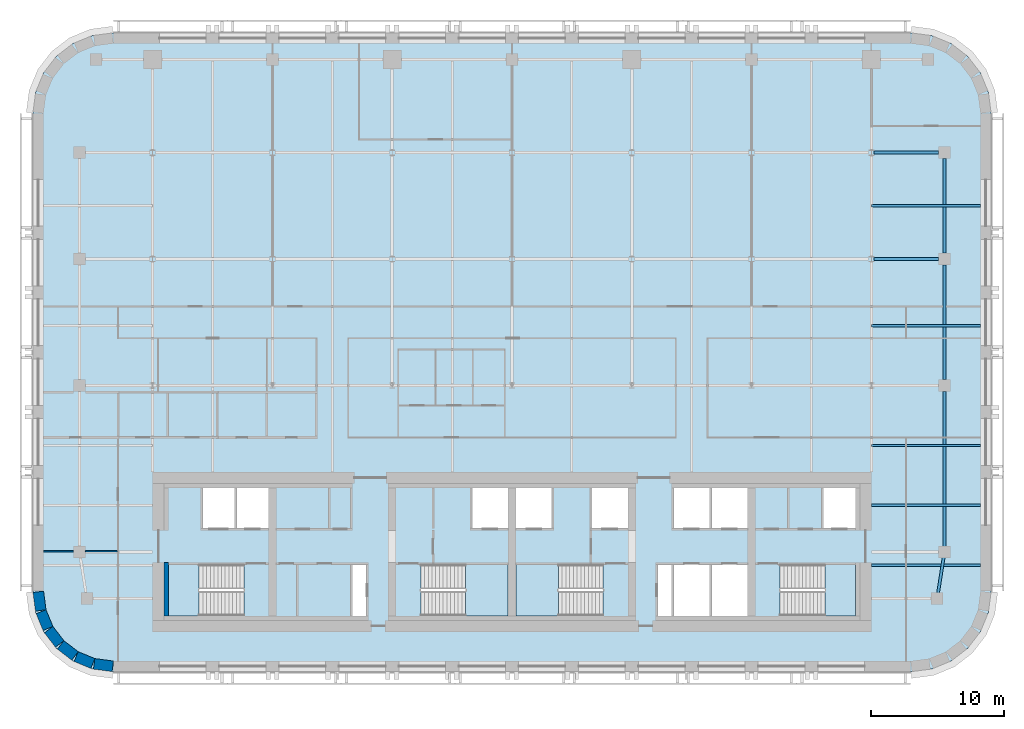
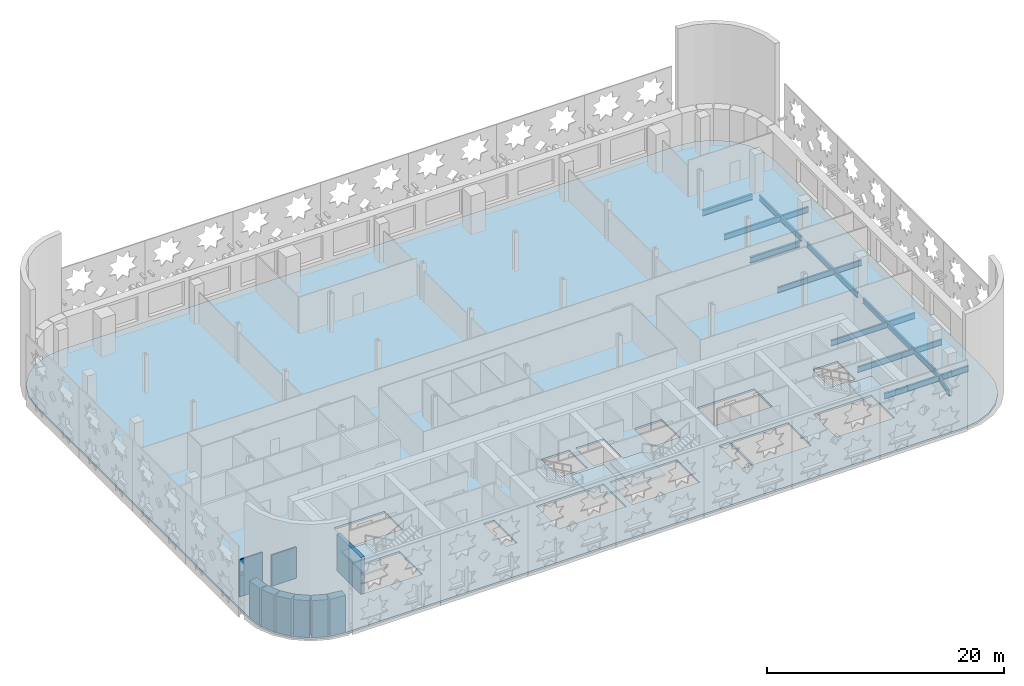
# One storey, part 2 of 14: 11 beams, 9 walls, 5 slabs, 4 elements without a shape of their own.
"""IFC4 building model written with IfcOpenShell, lengths in metres."""

from ifc_helpers import new_model, si_unit, direction, frame, frame_2d, origin, origin_2d, place, context, subcontext, project, spatial, polyline, rectangle, i_section, outline, extrude, material, layer, layer_set, material_profile, profile_set, type_object, element, aggregate, save


model = new_model("IFC4")

# Units and contexts
model_context = context("Model", 3, precision=1e-05, world=origin(), true_north=direction((0.0, 1.0)))
body_context = subcontext(model_context, "Body", "Model", "MODEL_VIEW")
ifc_project = project(units=[si_unit("LENGTHUNIT", "METRE"), si_unit("AREAUNIT", "SQUARE_METRE"), si_unit("VOLUMEUNIT", "CUBIC_METRE"), si_unit("PLANEANGLEUNIT", "RADIAN"), si_unit("MASSUNIT", "GRAM", prefix="KILO")], contexts=[model_context])

# Site, building, storey
site_placement = place(None, origin())
site = spatial("IfcSite", under=ifc_project, at=site_placement, CompositionType="ELEMENT")
building_placement = place(site_placement, origin())
building = spatial("IfcBuilding", under=site, at=building_placement, Name="Zellij Exchange Tower", CompositionType="ELEMENT")
storey_placement = place(building_placement, frame((0.0, 0.0, 188.5)))
storey = spatial("IfcBuildingStorey", under=building, at=storey_placement, Name="L43", CompositionType="ELEMENT", Elevation=188.5)

# Beams
ifc_material_1 = material(Name="Structural steel ASTM A992 Gr 50", Category="steel")
ifc_material_profile_1 = material_profile(ifc_material_1, i_section(OverallWidth=0.177978515625, OverallDepth=0.599365234375, WebThickness=0.010009765625, FlangeThickness=0.012939453125, at=origin_2d()), Name="W24x55")
ifc_profile_set_1 = profile_set([ifc_material_profile_1], Name="Structural steel ASTM A992 Gr 50")
beam_type_1 = type_object("IfcBeamType", Name="STR-BEAM W24x55", PredefinedType="BEAM", material=ifc_profile_set_1)
for number, where, z_axis, x_axis, name in (
    (1, (27.0, -9.0, -0.499755859375), (1.0, 0.0, 0.0), (0.0, 1.0, 0.0), "B4"),
    (2, (27.0, -4.5, -0.499755859375), (1.0, 0.0, 0.0), (0.0, 1.0, 0.0), "B4"),
    (3, (27.0, 0.0, -0.499755859375), (1.0, 0.0, 0.0), (0.0, 1.0, 0.0), "B4"),
    (4, (27.0, 9.0, -0.499755859375), (1.0, 0.0, 0.0), (0.0, 1.0, 0.0), "B4"),
    (5, (27.0, 18.0, -0.499755859375), (1.0, 0.0, 0.0), (0.0, 1.0, 0.0), "B4"),
):
    element("IfcBeam", number, at=place(storey_placement, frame(where, z_axis=z_axis, x_axis=x_axis)), inside=storey, type_object=beam_type_1, Name=name, PredefinedType="BEAM", context=body_context, shape_type="SweptSolid", body=[
        extrude(i_section(OverallWidth=0.177978515625, OverallDepth=0.599365234375, WebThickness=0.010009765625, FlangeThickness=0.012939453125, at=origin_2d()), origin(), (0.0, 0.0, 1.0), 8.199951171875),
    ])
ifc_material_profile_2 = material_profile(ifc_material_1, i_section(OverallWidth=0.209228515625, OverallDepth=0.533447265625, WebThickness=0.01025390625, FlangeThickness=0.015625, at=origin_2d()), Name="W21x62")
ifc_profile_set_2 = profile_set([ifc_material_profile_2], Name="Structural steel ASTM A992 Gr 50")
beam_type_2 = type_object("IfcBeamType", Name="STR-EDGE GIRDER W21x62", PredefinedType="BEAM", material=ifc_profile_set_2)
beam_1_placement = place(storey_placement, frame((31.949951171875, -11.5, -0.466796875), z_axis=(0.155251283593, 0.987875011802, 0.0), x_axis=(-0.987875011802, 0.155251283593, 0.0)))
element("IfcBeam", 6, at=beam_1_placement, inside=storey, type_object=beam_type_2, Name="EB3", PredefinedType="BEAM", context=body_context, shape_type="SweptSolid", body=[
    extrude(i_section(OverallWidth=0.209228515625, OverallDepth=0.533447265625, WebThickness=0.01025390625, FlangeThickness=0.015625, at=origin_2d()), origin(), (0.0, 0.0, 1.0), 3.54296875),
])
beam_2_placement = place(storey_placement, frame((32.5, -8.0, -0.466796875), z_axis=(0.0, 1.0, 0.0), x_axis=(-1.0, 0.0, 0.0)))
element("IfcBeam", 7, at=beam_2_placement, inside=storey, type_object=beam_type_2, Name="EB3", PredefinedType="BEAM", context=body_context, shape_type="SweptSolid", body=[
    extrude(i_section(OverallWidth=0.209228515625, OverallDepth=0.533447265625, WebThickness=0.01025390625, FlangeThickness=0.015625, at=origin_2d()), origin(), (0.0, 0.0, 1.0), 12.050048828125),
])
beam_3_placement = place(storey_placement, frame((32.5, 4.949951171875, -0.466796875), z_axis=(0.0, 1.0, 0.0), x_axis=(-1.0, 0.0, 0.0)))
element("IfcBeam", 8, at=beam_3_placement, inside=storey, type_object=beam_type_2, Name="EB3", PredefinedType="BEAM", context=body_context, shape_type="SweptSolid", body=[
    extrude(i_section(OverallWidth=0.209228515625, OverallDepth=0.533447265625, WebThickness=0.01025390625, FlangeThickness=0.015625, at=origin_2d()), origin(), (0.0, 0.0, 1.0), 8.60009765625),
])
beam_4_placement = place(storey_placement, frame((32.5, 14.449951171875, -0.466796875), z_axis=(0.0, 1.0, 0.0), x_axis=(-1.0, 0.0, 0.0)))
element("IfcBeam", 9, at=beam_4_placement, inside=storey, type_object=beam_type_2, Name="EB3", PredefinedType="BEAM", context=body_context, shape_type="SweptSolid", body=[
    extrude(i_section(OverallWidth=0.209228515625, OverallDepth=0.533447265625, WebThickness=0.01025390625, FlangeThickness=0.015625, at=origin_2d()), origin(), (0.0, 0.0, 1.0), 7.10009765625),
])
ifc_material_profile_3 = material_profile(ifc_material_1, i_section(OverallWidth=0.228271484375, OverallDepth=0.607177734375, WebThickness=0.01123046875, FlangeThickness=0.017333984375, at=origin_2d()), Name="W24x76")
ifc_profile_set_3 = profile_set([ifc_material_profile_3], Name="Structural steel ASTM A992 Gr 50")
beam_type_3 = type_object("IfcBeamType", Name="STR-GIRDER W24x76", PredefinedType="BEAM", material=ifc_profile_set_3)
for number, where, z_axis, x_axis, name in (
    (10, (27.20458984375, 14.0, -0.50341796875), (1.0, 0.0, 0.0), (0.0, 1.0, 0.0), "G2"),
    (11, (27.20458984375, 22.0, -0.50341796875), (1.0, 0.0, 0.0), (0.0, 1.0, 0.0), "G2"),
):
    element("IfcBeam", number, at=place(storey_placement, frame(where, z_axis=z_axis, x_axis=x_axis)), inside=storey, type_object=beam_type_3, Name=name, PredefinedType="BEAM", context=body_context, shape_type="SweptSolid", body=[
        extrude(i_section(OverallWidth=0.228271484375, OverallDepth=0.607177734375, WebThickness=0.01123046875, FlangeThickness=0.017333984375, at=origin_2d()), origin(), (0.0, 0.0, 1.0), 4.845458984375),
    ])

# Stair, slab
ifc_material_2 = material(Name="Concrete C40/50", Category="concrete")
stair_type = type_object("IfcStairType", Name="CORE-ST exit stair 1850 wide", PredefinedType="HALF_TURN_STAIR", material=ifc_material_2)
stair_1_placement = place(storey_placement, origin())
stair_1 = element("IfcStair", 12, at=stair_1_placement, inside=storey, type_object=stair_type, Name="L43 exit stair ST1", PredefinedType="HALF_TURN_STAIR")
ifc_layer_1 = layer(ifc_material_2, 0.199951171875)
ifc_layer_set_1 = layer_set([ifc_layer_1], Name="Concrete C40/50")
slab_type_1 = type_object("IfcSlabType", Name="CORE-SL stair landing 200", PredefinedType="LANDING", material=ifc_layer_set_1)
slab_1_placement = place(storey_placement, frame((0.0, 0.0, 1.800048828125)))
slab_1 = element("IfcSlab", 13, at=slab_1_placement, type_object=slab_type_1, Name="ST1 landing 1", PredefinedType="LANDING", context=body_context, shape_type="SweptSolid", body=[
    extrude(outline(polyline([(-23.510009765625, -8.949951171875), (-25.800048828125, -8.949951171875), (-25.800048828125, -12.800048828125), (-23.510009765625, -12.800048828125), (-23.510009765625, -8.949951171875)])), origin(), (0.0, 0.0, 1.0), 0.199951171875),
])
aggregate(stair_1, [slab_1])

stair_2_placement = place(storey_placement, origin())
stair_2 = element("IfcStair", 14, at=stair_2_placement, inside=storey, type_object=stair_type, Name="L43 exit stair ST2", PredefinedType="HALF_TURN_STAIR")
slab_2_placement = place(storey_placement, frame((0.0, 0.0, 1.800048828125)))
slab_2 = element("IfcSlab", 15, at=slab_2_placement, type_object=slab_type_1, Name="ST2 landing 1", PredefinedType="LANDING", context=body_context, shape_type="SweptSolid", body=[
    extrude(outline(polyline([(-3.489990234375, -12.800048828125), (-0.300048828125, -12.800048828125), (-0.300048828125, -8.949951171875), (-3.489990234375, -8.949951171875), (-3.489990234375, -12.800048828125)])), origin(), (0.0, 0.0, 1.0), 0.199951171875),
])
aggregate(stair_2, [slab_2])

stair_3_placement = place(storey_placement, origin())
stair_3 = element("IfcStair", 16, at=stair_3_placement, inside=storey, type_object=stair_type, Name="L43 exit stair ST3", PredefinedType="HALF_TURN_STAIR")
slab_3_placement = place(storey_placement, frame((0.0, 0.0, 1.800048828125)))
slab_3 = element("IfcSlab", 17, at=slab_3_placement, type_object=slab_type_1, Name="ST3 landing 1", PredefinedType="LANDING", context=body_context, shape_type="SweptSolid", body=[
    extrude(outline(polyline([(3.489990234375, -8.949951171875), (0.300048828125, -8.949951171875), (0.300048828125, -12.800048828125), (3.489990234375, -12.800048828125), (3.489990234375, -8.949951171875)])), origin(), (0.0, 0.0, 1.0), 0.199951171875),
])
aggregate(stair_3, [slab_3])

stair_4_placement = place(storey_placement, origin())
stair_4 = element("IfcStair", 18, at=stair_4_placement, inside=storey, type_object=stair_type, Name="L43 exit stair ST4", PredefinedType="HALF_TURN_STAIR")
slab_4_placement = place(storey_placement, frame((0.0, 0.0, 1.800048828125)))
slab_4 = element("IfcSlab", 19, at=slab_4_placement, type_object=slab_type_1, Name="ST4 landing 1", PredefinedType="LANDING", context=body_context, shape_type="SweptSolid", body=[
    extrude(outline(polyline([(23.510009765625, -12.800048828125), (25.800048828125, -12.800048828125), (25.800048828125, -8.949951171875), (23.510009765625, -8.949951171875), (23.510009765625, -12.800048828125)])), origin(), (0.0, 0.0, 1.0), 0.199951171875),
])
aggregate(stair_4, [slab_4])

# Slab
ifc_layer_2 = layer(ifc_material_2, 0.199951171875)
ifc_layer_set_2 = layer_set([ifc_layer_2], Name="Concrete C40/50")
slab_type_2 = type_object("IfcSlabType", Name="STR-FLOOR SLAB 200 C40/50", PredefinedType="FLOOR", material=ifc_layer_set_2)
slab_5_placement = place(storey_placement, frame((0.0, 0.0, -0.2001953125)))
element("IfcSlab", 20, at=slab_5_placement, inside=storey, type_object=slab_type_2, Name="Floor L43", PredefinedType="FLOOR", context=body_context, shape_type="SweptSolid", body=[
    extrude(outline(polyline([(-30.0, -17.0), (-31.552978515625, -16.795654296875), (-33.0, -16.1962890625), (-34.24267578125, -15.24267578125), (-35.1962890625, -14.0), (-35.795654296875, -12.552978515625), (-36.0, -11.0), (-36.0, 25.0), (-35.795654296875, 26.552978515625), (-35.1962890625, 28.0), (-34.24267578125, 29.24267578125), (-33.0, 30.1962890625), (-31.552978515625, 30.795654296875), (-30.0, 31.0), (30.0, 31.0), (31.552978515625, 30.795654296875), (33.0, 30.1962890625), (34.24267578125, 29.24267578125), (35.1962890625, 28.0), (35.795654296875, 26.552978515625), (36.0, 25.0), (36.0, -11.0), (35.795654296875, -12.552978515625), (35.1962890625, -14.0), (34.24267578125, -15.24267578125), (33.0, -16.1962890625), (31.552978515625, -16.795654296875), (30.0, -17.0), (-30.0, -17.0)]), holes=[polyline([(-25.800048828125, -8.949951171875), (-25.800048828125, -12.800048828125), (-20.153076171875, -12.800048828125), (-20.153076171875, -8.949951171875), (-25.800048828125, -8.949951171875)]), polyline([(-10.949951171875, -8.949951171875), (-12.0, -8.949951171875), (-12.0, -12.800048828125), (-10.949951171875, -12.800048828125), (-10.949951171875, -8.949951171875)]), polyline([(-0.300048828125, -8.949951171875), (-6.846923828125, -8.949951171875), (-6.846923828125, -12.800048828125), (-0.300048828125, -12.800048828125), (-0.300048828125, -8.949951171875)]), polyline([(0.300048828125, -8.949951171875), (0.300048828125, -12.800048828125), (6.846923828125, -12.800048828125), (6.846923828125, -8.949951171875), (0.300048828125, -8.949951171875)]), polyline([(-18.300048828125, -3.199951171875), (-23.25, -3.199951171875), (-23.25, -6.22509765625), (-18.300048828125, -6.22509765625), (-18.300048828125, -3.199951171875)]), polyline([(-0.300048828125, -3.199951171875), (-3.0, -3.199951171875), (-3.0, -6.22509765625), (-0.300048828125, -6.22509765625), (-0.300048828125, -3.199951171875)]), polyline([(0.300048828125, -3.199951171875), (0.300048828125, -6.22509765625), (3.0, -6.22509765625), (3.0, -3.199951171875), (0.300048828125, -3.199951171875)]), polyline([(12.0, -8.949951171875), (10.949951171875, -8.949951171875), (10.949951171875, -12.800048828125), (12.0, -12.800048828125), (12.0, -8.949951171875)]), polyline([(17.699951171875, -8.949951171875), (12.14990234375, -8.949951171875), (12.14990234375, -12.800048828125), (17.699951171875, -12.800048828125), (17.699951171875, -8.949951171875)]), polyline([(25.800048828125, -8.949951171875), (20.153076171875, -8.949951171875), (20.153076171875, -12.800048828125), (25.800048828125, -12.800048828125), (25.800048828125, -8.949951171875)]), polyline([(8.699951171875, -3.199951171875), (6.0, -3.199951171875), (6.0, -6.22509765625), (8.699951171875, -6.22509765625), (8.699951171875, -3.199951171875)]), polyline([(17.699951171875, -3.199951171875), (12.14990234375, -3.199951171875), (12.14990234375, -6.22509765625), (17.699951171875, -6.22509765625), (17.699951171875, -3.199951171875)]), polyline([(25.800048828125, -3.199951171875), (23.39990234375, -3.199951171875), (23.39990234375, -6.22509765625), (25.800048828125, -6.22509765625), (25.800048828125, -3.199951171875)])]), origin(), (0.0, 0.0, 1.0), 0.2001953125),
])

# Walls
ifc_material_3 = material(Name="Concrete C30/37", Category="concrete")
ifc_layer_3 = layer(ifc_material_3, 0.35009765625)
ifc_layer_set_3 = layer_set([ifc_layer_3], Name="Concrete C30/37")
wall_type_1 = type_object("IfcWallType", Name="CORE-LW 350 C30/37", PredefinedType="SHEAR", material=ifc_layer_set_3)
wall_1_placement = place(storey_placement, frame((-25.97509765625, -12.800048828125, 0.0), z_axis=(0.0, 0.0, 1.0), x_axis=(0.0, 1.0, 0.0)))
element("IfcWall", 21, at=wall_1_placement, inside=storey, type_object=wall_type_1, Name="Core wall lining end w.0 L43", PredefinedType="SHEAR", context=body_context, shape_type="SweptSolid", body=[
    extrude(rectangle(XDim=4.0, YDim=0.35009765625, at=frame_2d((2.0, 0.0))), origin(), (0.0, 0.0, 1.0), 3.800048828125),
])
ifc_material_4 = material(Name="Precast concrete C40/50", Category="concrete")
ifc_layer_4 = layer(ifc_material_4, 0.800048828125)
ifc_layer_set_4 = layer_set([ifc_layer_4], Name="Precast concrete C40/50")
wall_type_2 = type_object("IfcWallType", Name="ENV-EW1 Precast stone-piered wall 800", PredefinedType="SOLIDWALL", material=ifc_layer_set_4)
wall_2_placement = place(storey_placement, frame((-35.5966796875, -10.999755859375, 0.0), z_axis=(0.0, 0.0, 1.0), x_axis=(0.130517283865, -0.99144603414, 0.0)))
element("IfcWall", 22, at=wall_2_placement, inside=storey, type_object=wall_type_2, Name="fac.L43.22", PredefinedType="SOLIDWALL", context=body_context, shape_type="SweptSolid", body=[
    extrude(rectangle(XDim=1.408447265625, YDim=0.800048828125, at=frame_2d((0.7041015625, 0.0))), origin(), (0.0, 0.0, 1.0), 3.800048828125),
])
wall_3_placement = place(storey_placement, frame((-35.3857421875, -12.497314453125, 0.0), z_axis=(0.0, 0.0, 1.0), x_axis=(0.38276009378, -0.923847774587, 0.0)))
element("IfcWall", 23, at=wall_3_placement, inside=storey, type_object=wall_type_2, Name="fac.L43.23", PredefinedType="SOLIDWALL", context=body_context, shape_type="SweptSolid", body=[
    extrude(rectangle(XDim=1.35546875, YDim=0.800048828125, at=frame_2d((0.677734375, 0.0))), origin(), (0.0, 0.0, 1.0), 3.800048828125),
])
for number, where, z_axis, x_axis, name in (
    (24, (-34.814697265625, -13.840087890625, 0.0), (0.0, 0.0, 1.0), (0.608866226366, -0.793272915452, 0.0), "fac.L43.24"),
    (25, (-33.91552734375, -14.9892578125, 0.0), (0.0, 0.0, 1.0), (0.793272915452, -0.608866226366, 0.0), "fac.L43.25"),
):
    element("IfcWall", number, at=place(storey_placement, frame(where, z_axis=z_axis, x_axis=x_axis)), inside=storey, type_object=wall_type_2, Name=name, PredefinedType="SOLIDWALL", context=body_context, shape_type="SweptSolid", body=[
        extrude(rectangle(XDim=1.355712890625, YDim=0.800048828125, at=frame_2d((0.677734375, 0.0))), origin(), (0.0, 0.0, 1.0), 3.800048828125),
    ])
wall_4_placement = place(storey_placement, frame((-32.74951171875, -15.866943359375, 0.0), z_axis=(0.0, 0.0, 1.0), x_axis=(0.923847774587, -0.38276009378, 0.0)))
element("IfcWall", 26, at=wall_4_placement, inside=storey, type_object=wall_type_2, Name="fac.L43.26", PredefinedType="SOLIDWALL", context=body_context, shape_type="SweptSolid", body=[
    extrude(rectangle(XDim=1.35546875, YDim=0.800048828125, at=frame_2d((0.677734375, 0.0))), origin(), (0.0, 0.0, 1.0), 3.800048828125),
])
wall_5_placement = place(storey_placement, frame((-31.396240234375, -16.412841796875, 0.0), z_axis=(0.0, 0.0, 1.0), x_axis=(0.99144603414, -0.130517283865, 0.0)))
element("IfcWall", 27, at=wall_5_placement, inside=storey, type_object=wall_type_2, Name="fac.L43.27", PredefinedType="SOLIDWALL", context=body_context, shape_type="SweptSolid", body=[
    extrude(rectangle(XDim=1.408447265625, YDim=0.800048828125, at=frame_2d((0.7041015625, 0.0))), origin(), (0.0, 0.0, 1.0), 3.800048828125),
])
ifc_material_5 = material(Name="Gypsum board partition on steel studs", Category="steel")
ifc_layer_5 = layer(ifc_material_5, 0.10009765625)
ifc_layer_set_5 = layer_set([ifc_layer_5], Name="Gypsum board partition on steel studs")
wall_type_3 = type_object("IfcWallType", Name="FIT-PARTITION-100", PredefinedType="PARTITIONING", material=ifc_layer_set_5)
wall_6_placement = place(storey_placement, frame((-35.199951171875, -7.949951171875, 0.0), z_axis=(0.0, 0.0, 1.0), x_axis=(1.0, 0.0, 0.0)))
element("IfcWall", 28, at=wall_6_placement, inside=storey, type_object=wall_type_3, Name="FIT-PARTITION-100 003", PredefinedType="PARTITIONING", context=body_context, shape_type="SweptSolid", body=[
    extrude(rectangle(XDim=2.25, YDim=0.10009765625, at=frame_2d((1.125, 0.0))), origin(), (0.0, 0.0, 1.0), 3.800048828125),
])
wall_7_placement = place(storey_placement, frame((-32.050048828125, -7.949951171875, 0.0), z_axis=(0.0, 0.0, 1.0), x_axis=(1.0, 0.0, 0.0)))
element("IfcWall", 29, at=wall_7_placement, inside=storey, type_object=wall_type_3, Name="FIT-PARTITION-100 004", PredefinedType="PARTITIONING", context=body_context, shape_type="SweptSolid", body=[
    extrude(rectangle(XDim=2.400146484375, YDim=0.10009765625, at=frame_2d((1.2001953125, 0.0))), origin(), (0.0, 0.0, 1.0), 3.19287109375),
])

save(model, "model.ifc")
